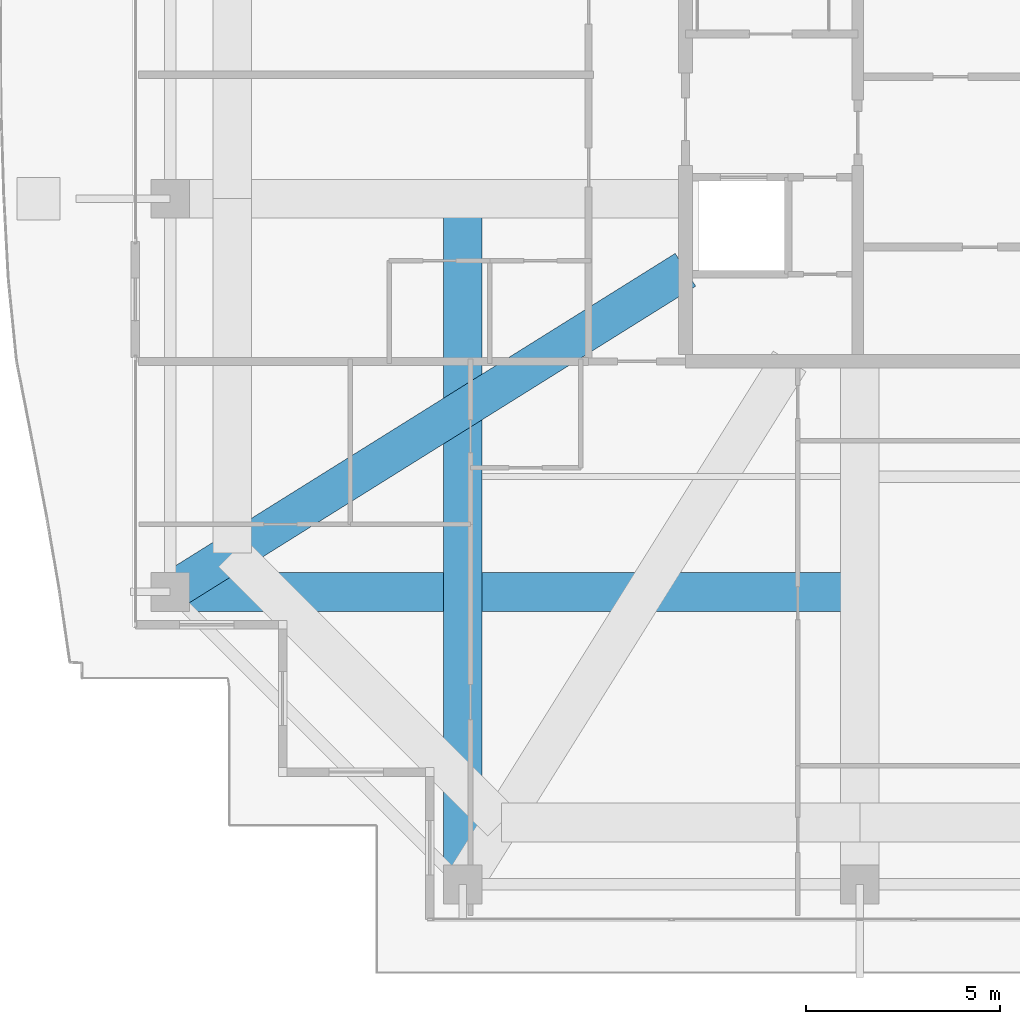
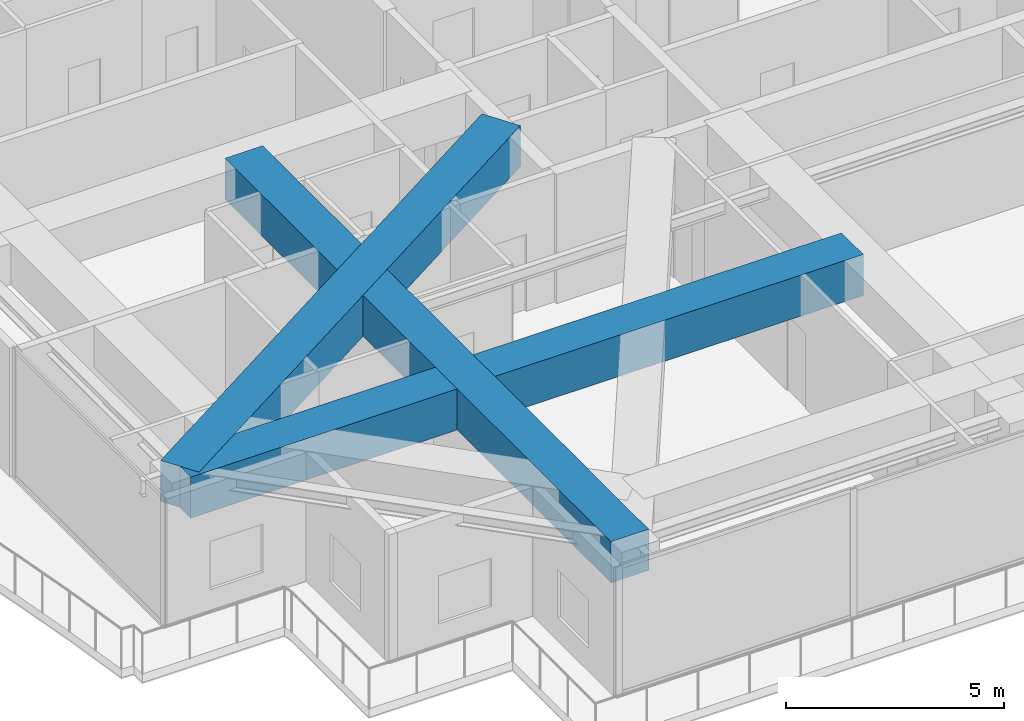
# One storey, part 5 of 40: 3 beams.
"""IFC4 building model written with IfcOpenShell, lengths in metres."""

from ifc_helpers import new_model, si_unit, direction, frame, origin, origin_2d, place, context, subcontext, project, spatial, rectangle, extrude, source, transform, mapped, material, material_profile, profile_set, type_object, element, save


model = new_model("IFC4")

# Units and contexts
model_context = context("Model", 3, precision=1e-05, world=origin(), true_north=direction((0.0, 1.0)))
body_context = subcontext(model_context, "Body", "Model", "MODEL_VIEW")
ifc_project = project(units=[si_unit("LENGTHUNIT", "METRE"), si_unit("AREAUNIT", "SQUARE_METRE"), si_unit("VOLUMEUNIT", "CUBIC_METRE"), si_unit("PLANEANGLEUNIT", "RADIAN"), si_unit("MASSUNIT", "GRAM", prefix="KILO")], contexts=[model_context])

# Site, building, storey
site_placement = place(None, origin())
site = spatial("IfcSite", under=ifc_project, at=site_placement, CompositionType="ELEMENT")
building_placement = place(site_placement, origin())
building = spatial("IfcBuilding", under=site, at=building_placement, Name="Serunith Strait Residences", CompositionType="ELEMENT")
storey_placement = place(building_placement, frame((0.0, 0.0, 333.949951171875)))
storey = spatial("IfcBuildingStorey", under=building, at=storey_placement, Name="L83", CompositionType="ELEMENT", Elevation=333.949951171875)

# Beams
ifc_material = material(Name="Concrete C80/95", Category="concrete")
ifc_material_profile = material_profile(ifc_material, rectangle(XDim=1.0, YDim=1.14990234375, at=origin_2d()), Name="RC 1000x1150")
ifc_profile_set = profile_set([ifc_material_profile], Name="Concrete C80/95")
beam_type = type_object("IfcBeamType", Name="BM-XFER-1000x1150", PredefinedType="BEAM", material=ifc_profile_set)
shared_shape_1 = source(origin(), body_context, "Body", "SweptSolid", [
    extrude(rectangle(XDim=1.0, YDim=1.14990234375, at=origin_2d()), origin(), (0.0, 0.0, 1.0), 17.699951171875),
])
beam_1_placement = place(storey_placement, frame((17.64990234375, 21.0, 3.03515625), z_axis=(0.0, -1.0, 0.0), x_axis=(1.0, 0.0, 0.0)))
element("IfcBeam", 1, at=beam_1_placement, inside=storey, type_object=beam_type, Name="L83 Orthogonal Corner Girder TC-S1", PredefinedType="BEAM", context=body_context, shape_type="MappedRepresentation", body=[
    mapped(shared_shape_1, transform((0.0, 0.0, 0.0), scale=1.0)),
])
shared_shape_2 = source(origin(), body_context, "Body", "SweptSolid", [
    extrude(rectangle(XDim=1.0, YDim=1.14990234375, at=origin_2d()), origin(), (0.0, 0.0, 1.0), 17.7998046875),
])
beam_2_placement = place(storey_placement, frame((27.89990234375, 10.85009765625, 3.03515625), z_axis=(-1.0, 0.0, 0.0), x_axis=(0.0, -1.0, 0.0)))
element("IfcBeam", 2, at=beam_2_placement, inside=storey, type_object=beam_type, Name="L83 Orthogonal Corner Girder TC-W1", PredefinedType="BEAM", context=body_context, shape_type="MappedRepresentation", body=[
    mapped(shared_shape_2, transform((0.0, 0.0, 0.0), scale=1.0)),
])
shared_shape_3 = source(origin(), body_context, "Body", "SweptSolid", [
    extrude(rectangle(XDim=1.0, YDim=1.14990234375, at=origin_2d()), origin(), (0.0, 0.0, 1.0), 15.683837890625),
])
beam_3_placement = place(storey_placement, frame((10.10009765625, 10.85009765625, 3.03515625), z_axis=(0.847994805921, 0.530004536897, 0.0), x_axis=(-0.530004536897, 0.847994805921, 0.0)))
element("IfcBeam", 3, at=beam_3_placement, inside=storey, type_object=beam_type, Name="L83 Diagonal Corner Transfer Girder TC-W1", PredefinedType="BEAM", context=body_context, shape_type="MappedRepresentation", body=[
    mapped(shared_shape_3, transform((0.0, 0.0, 0.0), scale=1.0)),
])

save(model, "model.ifc")
